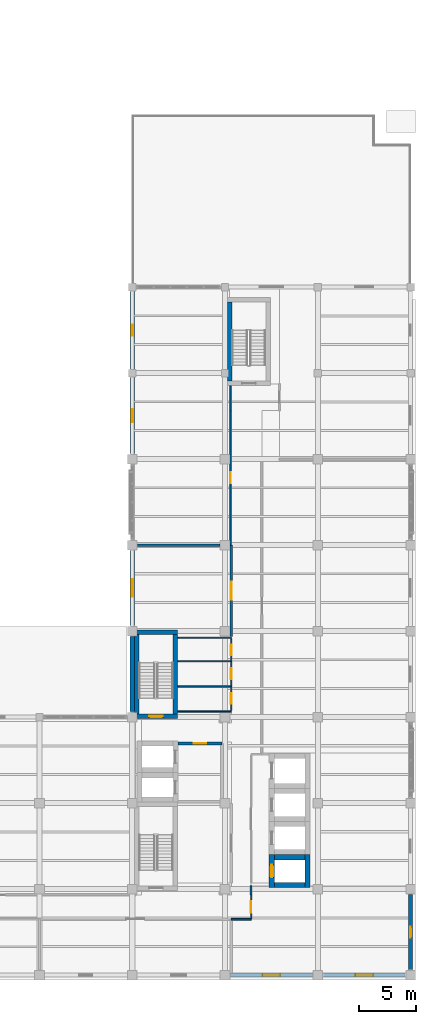
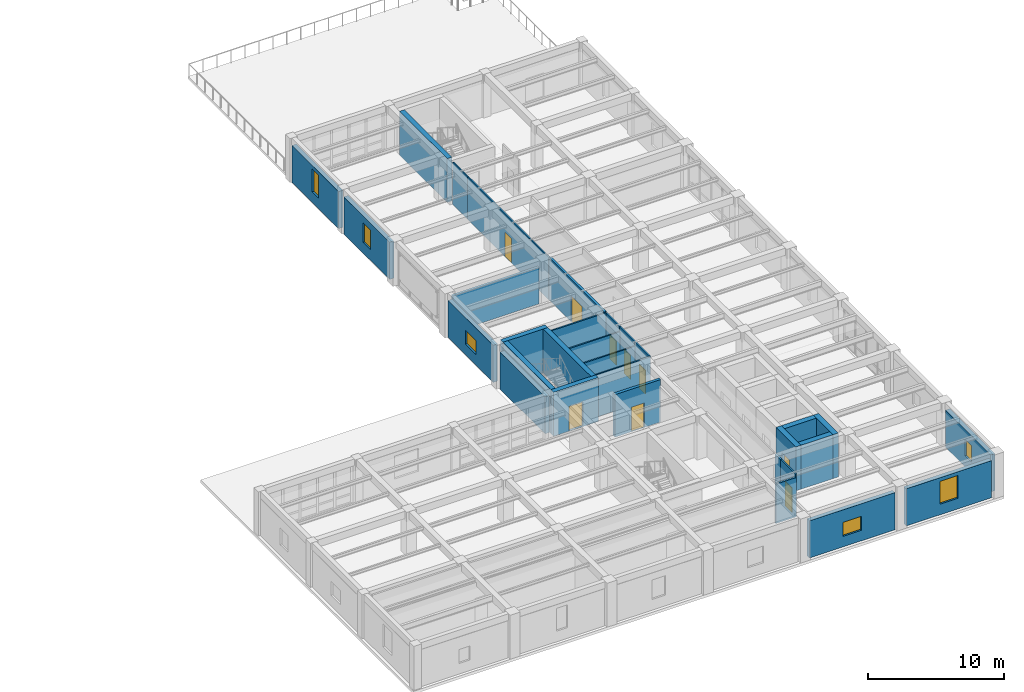
# One storey, part 12 of 22: 31 walls, 9 doors, 6 windows, 15 openings.
"""IFC4 building model written with IfcOpenShell, lengths in metres."""

import ifcopenshell
import ifcopenshell.guid

model = None  # the IFC model being written
_history = None  # IfcOwnerHistory: only IFC2X3 demands one
_inside = {}  # id of a spatial element -> (the spatial element, [elements in it])
_under = {}  # id of a project, library or spatial element -> (it, [spatial elements below it])
_declared = {}  # id of a project -> (the project, [libraries it declares])
_typed = {}  # id of a type object -> (the type object, [elements of that type])
_made_of = {}  # id of a material, layer set ... -> (it, [elements and type objects made of it])


def new_model(schema):
    """Start an empty IFC model of exactly this schema.

    Asked for "IFC4X3", IfcOpenShell would pick the latest addendum, in which some entities
    have other attributes; the version numbers below select the first issue.
    IFC2X3 requires an IfcOwnerHistory on every rooted entity: one is made here for all.
    """
    global model, _history
    if schema == "IFC4X3":
        model = ifcopenshell.file(schema_version=(4, 3, 0, 0))
    else:
        model = ifcopenshell.file(schema=schema)
    _inside.clear()
    _under.clear()
    _declared.clear()
    _typed.clear()
    _made_of.clear()
    _history = None
    if model.schema == "IFC2X3":
        org = make("IfcOrganization", Name="unknown")
        user = make(
            "IfcPersonAndOrganization",
            ThePerson=make("IfcPerson", FamilyName="unknown"),
            TheOrganization=org,
        )
        app = make(
            "IfcApplication",
            ApplicationDeveloper=org,
            Version="unknown",
            ApplicationFullName="unknown",
            ApplicationIdentifier="unknown",
        )
        _history = make(
            "IfcOwnerHistory",
            OwningUser=user,
            OwningApplication=app,
            ChangeAction="ADDED",
            CreationDate=0,
        )
    return model


def make(cls, **values):
    """One entity of the class cls with the attributes given. An attribute that is None is left unset."""
    return model.create_entity(
        cls, **{name: value for name, value in values.items() if value is not None}
    )


def rooted(cls, **values):
    """An entity with a GlobalId (a new one), such as an element, a storey or a relation."""
    return make(cls, GlobalId=ifcopenshell.guid.new(), OwnerHistory=_history, **values)


def si_unit(unit_type, name, prefix=None):
    """IfcSIUnit, for example si_unit("LENGTHUNIT", "METRE", prefix="MILLI")."""
    return make("IfcSIUnit", UnitType=unit_type, Prefix=prefix, Name=name)


def assignment(units):
    """IfcUnitAssignment: the units of a project."""
    return None if units is None else make("IfcUnitAssignment", Units=units)


def point(xyz):
    """IfcCartesianPoint."""
    return None if xyz is None else make("IfcCartesianPoint", Coordinates=xyz)


def direction(xyz):
    """IfcDirection."""
    return None if xyz is None else make("IfcDirection", DirectionRatios=xyz)


def frame(location, z_axis=None, x_axis=None):
    """IfcAxis2Placement3D, a coordinate frame: its origin and axes. An axis left out is left unset."""
    return make(
        "IfcAxis2Placement3D",
        Location=point(location),
        Axis=direction(z_axis),
        RefDirection=direction(x_axis),
    )


def frame_2d(location, x_axis=None):
    """IfcAxis2Placement2D, a coordinate frame in the plane: its origin and x axis."""
    return make(
        "IfcAxis2Placement2D", Location=point(location), RefDirection=direction(x_axis)
    )


def origin():
    """The frame at (0, 0, 0) with its axes left unset."""
    return frame((0.0, 0.0, 0.0))


def place(relative_to, where):
    """IfcLocalPlacement: puts the frame where relative to a parent placement (None: the world)."""
    return make(
        "IfcLocalPlacement", PlacementRelTo=relative_to, RelativePlacement=where
    )


def context(
    kind, dimensions, precision=None, world=None, true_north=None, identifier=None
):
    """IfcGeometricRepresentationContext, for example the 3D "Model" context."""
    return make(
        "IfcGeometricRepresentationContext",
        ContextIdentifier=identifier,
        ContextType=kind,
        CoordinateSpaceDimension=dimensions,
        Precision=precision,
        WorldCoordinateSystem=world,
        TrueNorth=true_north,
    )


def subcontext(parent, identifier, kind, view, scale=None):
    """IfcGeometricRepresentationSubContext, for example "Body" below "Model"."""
    return make(
        "IfcGeometricRepresentationSubContext",
        ContextIdentifier=identifier,
        ContextType=kind,
        ParentContext=parent,
        TargetScale=scale,
        TargetView=view,
    )


def project(units=None, contexts=None):
    """IfcProject with its units and contexts."""
    return rooted(
        "IfcProject",
        Name="project",
        RepresentationContexts=contexts,
        UnitsInContext=assignment(units),
    )


def spatial(cls, under=None, at=None, **own):
    """A site, building, storey or space (cls), placed at a placement, below another one or the project."""
    s = rooted(cls, ObjectPlacement=at, **own)
    if under is not None:
        _under.setdefault(under.id(), (under, []))[1].append(s)
    return s


def profile(cls, at=None, kind="AREA", **sizes):
    """A parametric profile (cls). Its sizes go by their IFC names, for example OverallWidth=200.0."""
    return make(cls, ProfileType=kind, Position=at, **sizes)


def rectangle(**sizes):
    """IfcRectangleProfileDef."""
    return profile("IfcRectangleProfileDef", **sizes)


def extrude(swept, where, along, depth):
    """IfcExtrudedAreaSolid: the profile swept, set in the frame where, extruded along a direction by depth."""
    return make(
        "IfcExtrudedAreaSolid",
        SweptArea=swept,
        Position=where,
        ExtrudedDirection=direction(along),
        Depth=depth,
    )


def shape(context_of_items, identifier, shape_type, items):
    """IfcShapeRepresentation: the items that make up one representation, for example the "Body"."""
    return make(
        "IfcShapeRepresentation",
        ContextOfItems=context_of_items,
        RepresentationIdentifier=identifier,
        RepresentationType=shape_type,
        Items=items,
    )


def material(Name=None, Category=None):
    """IfcMaterial."""
    return make("IfcMaterial", Name=Name, Category=Category)


def layer(
    of_material, thickness, ventilated=None, Name=None, Category=None, Priority=None
):
    """IfcMaterialLayer: one layer of a wall or slab, of a material (None: an air gap)."""
    return make(
        "IfcMaterialLayer",
        Material=of_material,
        LayerThickness=thickness,
        IsVentilated=ventilated,
        Name=Name,
        Category=Category,
        Priority=Priority,
    )


def layer_set(layers, Name=None):
    """IfcMaterialLayerSet."""
    return make("IfcMaterialLayerSet", MaterialLayers=layers, LayerSetName=Name)


def made_of(thing, what):
    """Note that an element or type object is made of a material, layer set ...; save() writes the relation."""
    if what is not None:
        _made_of.setdefault(what.id(), (what, []))[1].append(thing)
    return thing


def type_object(cls, material=None, **own):
    """A type object (cls), such as IfcWallType, which elements share."""
    return made_of(rooted(cls, **own), material)


def element(
    cls,
    number,
    at=None,
    inside=None,
    cuts=None,
    type_object=None,
    material=None,
    context=None,
    identifier="Body",
    shape_type=None,
    held_by="IfcProductDefinitionShape",
    body=None,
    shapes=None,
    **own,
):
    """One element of the class cls, such as IfcWall. Its Tag is "e" and its number.

    at: its placement. inside: the storey or other place that contains it. cuts: it is an
    opening in that element (IfcRelVoidsElement). A single representation is given by context,
    identifier, shape_type and body (its items); several are given by shapes. held_by: the class
    of the entity that holds the representations. save() writes the other relations.
    """
    e = rooted(cls, Tag="e%d" % number, ObjectPlacement=at, **own)
    if body is not None:
        shapes = [shape(context, identifier, shape_type, body)]
    if shapes is not None:
        e.Representation = make(held_by, Representations=shapes)
    if inside is not None:
        _inside.setdefault(inside.id(), (inside, []))[1].append(e)
    if cuts is not None:
        rooted(
            "IfcRelVoidsElement", RelatingBuildingElement=cuts, RelatedOpeningElement=e
        )
    if type_object is not None:
        _typed.setdefault(type_object.id(), (type_object, []))[1].append(e)
    return made_of(e, material)


def fill(opening, filler):
    """IfcRelFillsElement: the door or window that sits in an opening."""
    return rooted(
        "IfcRelFillsElement",
        RelatingOpeningElement=opening,
        RelatedBuildingElement=filler,
    )


def aggregate(whole, parts):
    """IfcRelAggregates: a whole, such as a stair, and the parts it consists of."""
    return rooted("IfcRelAggregates", RelatingObject=whole, RelatedObjects=parts)


def save(model, path):
    """Write the relations noted so far, then the file.

    IfcRelAggregates (storeys below a building ...), IfcRelContainedInSpatialStructure (elements
    in a storey), IfcRelDefinesByType, IfcRelAssociatesMaterial and IfcRelDeclares: one each for
    every whole, place, type object, material and project.
    """
    for whole, parts in _under.values():
        aggregate(whole, parts)
    for where, things in _inside.values():
        rooted(
            "IfcRelContainedInSpatialStructure",
            RelatedElements=things,
            RelatingStructure=where,
        )
    for kind, things in _typed.values():
        rooted("IfcRelDefinesByType", RelatedObjects=things, RelatingType=kind)
    for what, things in _made_of.values():
        rooted("IfcRelAssociatesMaterial", RelatedObjects=things, RelatingMaterial=what)
    for by, libraries in _declared.values():
        rooted("IfcRelDeclares", RelatingContext=by, RelatedDefinitions=libraries)
    model.write(path)


model = new_model("IFC4")

# Units and contexts
model_context = context("Model", 3, precision=1e-05, world=origin(), true_north=direction((0.0, 1.0)))
body_context = subcontext(model_context, "Body", "Model", "MODEL_VIEW")
ifc_project = project(units=[si_unit("LENGTHUNIT", "METRE"), si_unit("AREAUNIT", "SQUARE_METRE"), si_unit("VOLUMEUNIT", "CUBIC_METRE"), si_unit("PLANEANGLEUNIT", "RADIAN"), si_unit("MASSUNIT", "GRAM", prefix="KILO")], contexts=[model_context])

# Site, building, storey
site_placement = place(None, origin())
site = spatial("IfcSite", under=ifc_project, at=site_placement, CompositionType="ELEMENT")
building_placement = place(site_placement, origin())
building = spatial("IfcBuilding", under=site, at=building_placement, Name="Qandaris Square Conservatory and Botanical Centre", CompositionType="ELEMENT")
storey_placement = place(building_placement, frame((0.0, 0.0, 19.800048828125)))
storey = spatial("IfcBuildingStorey", under=building, at=storey_placement, Name="L04", CompositionType="ELEMENT", Elevation=19.800048828125)

# Walls
ifc_material_1 = material(Name="Gypsum Plasterboard", Category="gypsum")
ifc_layer_1 = layer(ifc_material_1, 0.14990234375)
ifc_layer_set_1 = layer_set([ifc_layer_1], Name="Gypsum Plasterboard")
wall_type_1 = type_object("IfcWallType", Name="Acoustic Laboratory Partition 150mm", PredefinedType="PARTITIONING", material=ifc_layer_set_1)
wall_1_placement = place(storey_placement, frame((149.699951171875, 24.5, 0.0), z_axis=(0.0, 0.0, 1.0), x_axis=(0.0, -1.0, 0.0)))
element("IfcWall", 1, at=wall_1_placement, inside=storey, type_object=wall_type_1, Name="Interior Partition IW-L04-0199", PredefinedType="PARTITIONING", context=body_context, shape_type="SweptSolid", body=[
    extrude(rectangle(XDim=0.800048828125, YDim=0.14990234375, at=frame_2d((0.39990234375, 0.0))), origin(), (0.0, 0.0, 1.0), 3.804931640625),
])
wall_2_placement = place(storey_placement, frame((149.699951171875, 21.550048828125, 0.0), z_axis=(0.0, 0.0, 1.0), x_axis=(-1.0, 0.0, 0.0)))
element("IfcWall", 2, at=wall_2_placement, inside=storey, type_object=wall_type_1, Name="Interior Partition IW-L04-0201", PredefinedType="PARTITIONING", context=body_context, shape_type="SweptSolid", body=[
    extrude(rectangle(XDim=1.75, YDim=0.14990234375, at=frame_2d((0.875, 0.0))), origin(), (0.0, 0.0, 1.0), 3.514892578125),
])

# Wall, opening, window
ifc_material_2 = material(Name="Precast concrete C40/50", Category="concrete")
ifc_layer_2 = layer(ifc_material_2, 0.360107421875)
ifc_layer_set_2 = layer_set([ifc_layer_2], Name="Precast concrete C40/50")
wall_type_2 = type_object("IfcWallType", Name="Architectural Precast Cladding Wall 360mm", PredefinedType="SOLIDWALL", material=ifc_layer_set_2)
wall_3_placement = place(storey_placement, frame((147.885009765625, 16.60009765625, 0.0), z_axis=(0.0, 0.0, 1.0), x_axis=(1.0, 0.0, 0.0)))
wall_3 = element("IfcWall", 3, at=wall_3_placement, inside=storey, type_object=wall_type_2, Name="Exterior Wall EW-TWR-L04-1-5", PredefinedType="SOLIDWALL", context=body_context, shape_type="SweptSolid", body=[
    extrude(rectangle(XDim=7.22998046875, YDim=0.360107421875, at=frame_2d((3.614990234375, 0.0))), origin(), (0.0, 0.0, 1.0), 3.324951171875),
])
opening_1_placement = place(wall_3_placement, frame((2.840087890625, 0.0, 0.949951171875)))
opening_1 = element("IfcOpeningElement", 4, at=opening_1_placement, cuts=wall_3, Name="Opening WN-25", PredefinedType="OPENING", context=body_context, shape_type="SweptSolid", body=[
    extrude(rectangle(XDim=1.550048828125, YDim=1.25, at=frame_2d((0.77490234375, 0.625))), frame((0.0, 0.19189453125, 0.0), z_axis=(0.0, -1.0, 0.0), x_axis=(1.0, 0.0, 0.0)), (0.0, 0.0, 1.0), 0.384033203125),
])
ifc_material_3 = material(Name="Tempered Low-E Glass", Category="glass")
window_type_1 = type_object("IfcWindowType", Name="Solar Control Window 1550x1250", PartitioningType="DOUBLE_PANEL_VERTICAL", PredefinedType="WINDOW", material=ifc_material_3)
window_1_placement = place(opening_1_placement, origin())
window_1 = element("IfcWindow", 5, at=window_1_placement, inside=storey, type_object=window_type_1, Name="Window EW-TWR-L04-1-5", OverallHeight=1.25, OverallWidth=1.550048828125, PartitioningType="DOUBLE_PANEL_VERTICAL", PredefinedType="WINDOW", context=body_context, shape_type="SweptSolid", body=[
    extrude(rectangle(XDim=1.550048828125, YDim=1.25, at=frame_2d((0.77490234375, 0.625))), frame((0.0, 0.030029296875, 0.0), z_axis=(0.0, -1.0, 0.0), x_axis=(1.0, 0.0, 0.0)), (0.0, 0.0, 1.0), 0.06005859375),
])
fill(opening_1, window_1)

wall_4_placement = place(storey_placement, frame((156.0849609375, 16.60009765625, 0.0), z_axis=(0.0, 0.0, 1.0), x_axis=(1.0, 0.0, 0.0)))
wall_4 = element("IfcWall", 6, at=wall_4_placement, inside=storey, type_object=wall_type_2, Name="Exterior Wall EW-TWR-L04-1-6", PredefinedType="SOLIDWALL", context=body_context, shape_type="SweptSolid", body=[
    extrude(rectangle(XDim=7.22998046875, YDim=0.360107421875, at=frame_2d((3.614990234375, 0.0))), origin(), (0.0, 0.0, 1.0), 3.324951171875),
])
opening_2_placement = place(wall_4_placement, frame((2.840087890625, 0.0, 0.949951171875)))
opening_2 = element("IfcOpeningElement", 7, at=opening_2_placement, cuts=wall_4, Name="Opening WN-28", PredefinedType="OPENING", context=body_context, shape_type="SweptSolid", body=[
    extrude(rectangle(XDim=1.550048828125, YDim=2.050048828125, at=frame_2d((0.77490234375, 1.02490234375))), frame((0.0, 0.19189453125, 0.0), z_axis=(0.0, -1.0, 0.0), x_axis=(1.0, 0.0, 0.0)), (0.0, 0.0, 1.0), 0.384033203125),
])
window_type_2 = type_object("IfcWindowType", Name="Solar Control Window 1550x2050", PartitioningType="DOUBLE_PANEL_VERTICAL", PredefinedType="WINDOW", material=ifc_material_3)
window_2_placement = place(opening_2_placement, origin())
window_2 = element("IfcWindow", 8, at=window_2_placement, inside=storey, type_object=window_type_2, Name="Window EW-TWR-L04-1-6", OverallHeight=2.050048828125, OverallWidth=1.550048828125, PartitioningType="DOUBLE_PANEL_VERTICAL", PredefinedType="WINDOW", context=body_context, shape_type="SweptSolid", body=[
    extrude(rectangle(XDim=1.550048828125, YDim=2.050048828125, at=frame_2d((0.77490234375, 1.02490234375))), frame((0.0, 0.030029296875, 0.0), z_axis=(0.0, -1.0, 0.0), x_axis=(1.0, 0.0, 0.0)), (0.0, 0.0, 1.0), 0.06005859375),
])
fill(opening_2, window_2)

wall_5_placement = place(storey_placement, frame((163.800048828125, 17.0849609375, 0.0), z_axis=(0.0, 0.0, 1.0), x_axis=(0.0, 1.0, 0.0)))
wall_5 = element("IfcWall", 9, at=wall_5_placement, inside=storey, type_object=wall_type_2, Name="Exterior Wall EW-TWR-L04-2-1", PredefinedType="SOLIDWALL", context=body_context, shape_type="SweptSolid", body=[
    extrude(rectangle(XDim=6.630126953125, YDim=0.360107421875, at=frame_2d((3.31494140625, 0.0))), origin(), (0.0, 0.0, 1.0), 3.324951171875),
])
opening_3_placement = place(wall_5_placement, frame((2.840087890625, 0.0, 0.949951171875)))
opening_3 = element("IfcOpeningElement", 10, at=opening_3_placement, cuts=wall_5, Name="Opening WN-14", PredefinedType="OPENING", context=body_context, shape_type="SweptSolid", body=[
    extrude(rectangle(XDim=0.949951171875, YDim=1.5, at=frame_2d((0.47509765625, 0.75))), frame((0.0, 0.19189453125, 0.0), z_axis=(0.0, -1.0, 0.0), x_axis=(1.0, 0.0, 0.0)), (0.0, 0.0, 1.0), 0.384033203125),
])
window_type_3 = type_object("IfcWindowType", Name="Solar Control Window 950x1500", PartitioningType="SINGLE_PANEL", PredefinedType="WINDOW", material=ifc_material_3)
window_3_placement = place(opening_3_placement, origin())
window_3 = element("IfcWindow", 11, at=window_3_placement, inside=storey, type_object=window_type_3, Name="Window EW-TWR-L04-2-1", OverallHeight=1.5, OverallWidth=0.949951171875, PartitioningType="SINGLE_PANEL", PredefinedType="WINDOW", context=body_context, shape_type="SweptSolid", body=[
    extrude(rectangle(XDim=0.949951171875, YDim=1.5, at=frame_2d((0.47509765625, 0.75))), frame((0.0, 0.030029296875, 0.0), z_axis=(0.0, -1.0, 0.0), x_axis=(1.0, 0.0, 0.0)), (0.0, 0.0, 1.0), 0.06005859375),
])
fill(opening_3, window_3)

wall_6_placement = place(storey_placement, frame((139.199951171875, 77.014892578125, 0.0), z_axis=(0.0, 0.0, 1.0), x_axis=(0.0, -1.0, 0.0)))
wall_6 = element("IfcWall", 12, at=wall_6_placement, inside=storey, type_object=wall_type_2, Name="Exterior Wall EW-TWR-L04-4-1", PredefinedType="SOLIDWALL", context=body_context, shape_type="SweptSolid", body=[
    extrude(rectangle(XDim=6.829833984375, YDim=0.360107421875, at=frame_2d((3.4150390625, 0.0))), origin(), (0.0, 0.0, 1.0), 3.324951171875),
])
opening_4_placement = place(wall_6_placement, frame((2.93994140625, 0.0, 0.949951171875)))
opening_4 = element("IfcOpeningElement", 13, at=opening_4_placement, cuts=wall_6, Name="Opening WN-16", PredefinedType="OPENING", context=body_context, shape_type="SweptSolid", body=[
    extrude(rectangle(XDim=0.949951171875, YDim=2.050048828125, at=frame_2d((0.47509765625, 1.02490234375))), frame((0.0, 0.19189453125, 0.0), z_axis=(0.0, -1.0, 0.0), x_axis=(1.0, 0.0, 0.0)), (0.0, 0.0, 1.0), 0.384033203125),
])
window_type_4 = type_object("IfcWindowType", Name="Solar Control Window 950x2050", PartitioningType="SINGLE_PANEL", PredefinedType="WINDOW", material=ifc_material_3)
window_4_placement = place(opening_4_placement, origin())
window_4 = element("IfcWindow", 14, at=window_4_placement, inside=storey, type_object=window_type_4, Name="Window EW-TWR-L04-4-1", OverallHeight=2.050048828125, OverallWidth=0.949951171875, PartitioningType="SINGLE_PANEL", PredefinedType="WINDOW", context=body_context, shape_type="SweptSolid", body=[
    extrude(rectangle(XDim=0.949951171875, YDim=2.050048828125, at=frame_2d((0.47509765625, 1.02490234375))), frame((0.0, 0.030029296875, 0.0), z_axis=(0.0, -1.0, 0.0), x_axis=(1.0, 0.0, 0.0)), (0.0, 0.0, 1.0), 0.06005859375),
])
fill(opening_4, window_4)

wall_7_placement = place(storey_placement, frame((139.199951171875, 69.4150390625, 0.0), z_axis=(0.0, 0.0, 1.0), x_axis=(0.0, -1.0, 0.0)))
wall_7 = element("IfcWall", 15, at=wall_7_placement, inside=storey, type_object=wall_type_2, Name="Exterior Wall EW-TWR-L04-4-2", PredefinedType="SOLIDWALL", context=body_context, shape_type="SweptSolid", body=[
    extrude(rectangle(XDim=6.72998046875, YDim=0.360107421875, at=frame_2d((3.364990234375, 0.0))), origin(), (0.0, 0.0, 1.0), 3.324951171875),
])
opening_5_placement = place(wall_7_placement, frame((2.7900390625, 0.0, 0.949951171875)))
opening_5 = element("IfcOpeningElement", 16, at=opening_5_placement, cuts=wall_7, Name="Opening WN-19", PredefinedType="OPENING", context=body_context, shape_type="SweptSolid", body=[
    extrude(rectangle(XDim=1.14990234375, YDim=1.75, at=frame_2d((0.574951171875, 0.875))), frame((0.0, 0.19189453125, 0.0), z_axis=(0.0, -1.0, 0.0), x_axis=(1.0, 0.0, 0.0)), (0.0, 0.0, 1.0), 0.384033203125),
])
window_type_5 = type_object("IfcWindowType", Name="Solar Control Window 1150x1750", PartitioningType="SINGLE_PANEL", PredefinedType="WINDOW", material=ifc_material_3)
window_5_placement = place(opening_5_placement, origin())
window_5 = element("IfcWindow", 17, at=window_5_placement, inside=storey, type_object=window_type_5, Name="Window EW-TWR-L04-4-2", OverallHeight=1.75, OverallWidth=1.14990234375, PartitioningType="SINGLE_PANEL", PredefinedType="WINDOW", context=body_context, shape_type="SweptSolid", body=[
    extrude(rectangle(XDim=1.14990234375, YDim=1.75, at=frame_2d((0.574951171875, 0.875))), frame((0.0, 0.030029296875, 0.0), z_axis=(0.0, -1.0, 0.0), x_axis=(1.0, 0.0, 0.0)), (0.0, 0.0, 1.0), 0.06005859375),
])
fill(opening_5, window_5)

wall_8_placement = place(storey_placement, frame((139.199951171875, 54.114990234375, 0.0), z_axis=(0.0, 0.0, 1.0), x_axis=(0.0, -1.0, 0.0)))
wall_8 = element("IfcWall", 18, at=wall_8_placement, inside=storey, type_object=wall_type_2, Name="Exterior Wall EW-TWR-L04-4-4", PredefinedType="SOLIDWALL", context=body_context, shape_type="SweptSolid", body=[
    extrude(rectangle(XDim=6.6298828125, YDim=0.360107421875, at=frame_2d((3.31494140625, 0.0))), origin(), (0.0, 0.0, 1.0), 3.324951171875),
])
opening_6_placement = place(wall_8_placement, frame((2.5400390625, 0.0, 0.949951171875)))
opening_6 = element("IfcOpeningElement", 19, at=opening_6_placement, cuts=wall_8, Name="Opening WN-25", PredefinedType="OPENING", context=body_context, shape_type="SweptSolid", body=[
    extrude(rectangle(XDim=1.550048828125, YDim=1.25, at=frame_2d((0.77490234375, 0.625))), frame((0.0, 0.19189453125, 0.0), z_axis=(0.0, -1.0, 0.0), x_axis=(1.0, 0.0, 0.0)), (0.0, 0.0, 1.0), 0.384033203125),
])
window_6_placement = place(opening_6_placement, origin())
window_6 = element("IfcWindow", 20, at=window_6_placement, inside=storey, type_object=window_type_1, Name="Window EW-TWR-L04-4-4", OverallHeight=1.25, OverallWidth=1.550048828125, PartitioningType="DOUBLE_PANEL_VERTICAL", PredefinedType="WINDOW", context=body_context, shape_type="SweptSolid", body=[
    extrude(rectangle(XDim=1.550048828125, YDim=1.25, at=frame_2d((0.77490234375, 0.625))), frame((0.0, 0.030029296875, 0.0), z_axis=(0.0, -1.0, 0.0), x_axis=(1.0, 0.0, 0.0)), (0.0, 0.0, 1.0), 0.06005859375),
])
fill(opening_6, window_6)

# Wall
wall_9_placement = place(storey_placement, frame((139.199951171875, 46.514892578125, 0.0), z_axis=(0.0, 0.0, 1.0), x_axis=(0.0, -1.0, 0.0)))
element("IfcWall", 21, at=wall_9_placement, inside=storey, type_object=wall_type_2, Name="Exterior Wall EW-TWR-L04-4-5", PredefinedType="SOLIDWALL", context=body_context, shape_type="SweptSolid", body=[
    extrude(rectangle(XDim=6.6298828125, YDim=0.360107421875, at=frame_2d((3.31494140625, 0.0))), origin(), (0.0, 0.0, 1.0), 3.324951171875),
])

# Wall, opening, door
ifc_material_4 = material(Name="Concrete C40/50", Category="concrete")
ifc_layer_3 = layer(ifc_material_4, 0.25)
ifc_layer_set_3 = layer_set([ifc_layer_3], Name="Concrete C40/50")
wall_type_3 = type_object("IfcWallType", Name="Firefighting Lobby Compartment Wall 250mm", PredefinedType="SOLIDWALL", material=ifc_layer_set_3)
wall_10_placement = place(storey_placement, frame((143.25, 37.074951171875, 0.0), z_axis=(0.0, 0.0, 1.0), x_axis=(1.0, 0.0, 0.0)))
wall_10 = element("IfcWall", 22, at=wall_10_placement, inside=storey, type_object=wall_type_3, Name="Firefighting Lobby Wall North (L04)", PredefinedType="SOLIDWALL", context=body_context, shape_type="SweptSolid", body=[
    extrude(rectangle(XDim=3.875, YDim=0.25, at=frame_2d((1.9375, 0.0))), origin(), (0.0, 0.0, 1.0), 3.804931640625),
])
opening_7_placement = place(wall_10_placement, frame((1.387451171875, 0.0, 0.0)))
opening_7 = element("IfcOpeningElement", 23, at=opening_7_placement, cuts=wall_10, Name="Opening D-FFL", PredefinedType="OPENING", context=body_context, shape_type="SweptSolid", body=[
    extrude(rectangle(XDim=1.10009765625, YDim=2.199951171875, at=frame_2d((0.550048828125, 1.10009765625))), frame((0.0, 0.136962890625, 0.0), z_axis=(0.0, -1.0, 0.0), x_axis=(1.0, 0.0, 0.0)), (0.0, 0.0, 1.0), 0.27392578125),
])
ifc_material_5 = material(Name="Steel S355", Category="steel")
door_type_1 = type_object("IfcDoorType", Name="Firefighting Lobby Smoke-Seal Door 1100x2200", OperationType="NOTDEFINED", PredefinedType="DOOR", material=ifc_material_5)
door_1_placement = place(opening_7_placement, origin())
door_1 = element("IfcDoor", 24, at=door_1_placement, inside=storey, type_object=door_type_1, Name="DR-0174 Firefighting Lobby Door (L04)", OperationType="SINGLE_SWING_LEFT", OverallHeight=2.199951171875, OverallWidth=1.10009765625, PredefinedType="DOOR", context=body_context, shape_type="SweptSolid", body=[
    extrude(rectangle(XDim=1.10009765625, YDim=2.199951171875, at=frame_2d((0.550048828125, 1.10009765625))), frame((0.0, 0.02490234375, 0.0), z_axis=(0.0, -1.0, 0.0), x_axis=(1.0, 0.0, 0.0)), (0.0, 0.0, 1.0), 0.050048828125),
])
fill(opening_7, door_1)

ifc_layer_4 = layer(ifc_material_4, 0.199951171875)
ifc_layer_set_4 = layer_set([ifc_layer_4], Name="Concrete C40/50")
wall_type_4 = type_object("IfcWallType", Name="Herbarium & Plant Compartment Wall 200mm", PredefinedType="PARTITIONING", material=ifc_layer_set_4)
wall_11_placement = place(storey_placement, frame((147.949951171875, 46.510009765625, 0.0), z_axis=(0.0, 0.0, 1.0), x_axis=(0.0, 1.0, 0.0)))
wall_11 = element("IfcWall", 25, at=wall_11_placement, inside=storey, type_object=wall_type_4, Name="Interior Partition IW-L04-0203", PredefinedType="PARTITIONING", context=body_context, shape_type="SweptSolid", body=[
    extrude(rectangle(XDim=8.090087890625, YDim=0.199951171875, at=frame_2d((4.044921875, 0.0))), origin(), (0.0, 0.0, 1.0), 3.804931640625),
])
opening_8_placement = place(wall_11_placement, frame((3.2451171875, 0.0, 0.0)))
opening_8 = element("IfcOpeningElement", 26, at=opening_8_placement, cuts=wall_11, Name="Opening D-HRB1", PredefinedType="OPENING", context=body_context, shape_type="SweptSolid", body=[
    extrude(rectangle(XDim=1.60009765625, YDim=2.300048828125, at=frame_2d((0.800048828125, 1.14990234375))), frame((0.0, 0.11181640625, 0.0), z_axis=(0.0, -1.0, 0.0), x_axis=(1.0, 0.0, 0.0)), (0.0, 0.0, 1.0), 0.223876953125),
])
door_type_2 = type_object("IfcDoorType", Name="Herbarium Sealable Specimen Double Door 1600x2300", OperationType="DOUBLE_DOOR_SINGLE_SWING", PredefinedType="DOOR", material=ifc_material_5)
door_2_placement = place(opening_8_placement, origin())
door_2 = element("IfcDoor", 27, at=door_2_placement, inside=storey, type_object=door_type_2, Name="DR-0177 Ethnobotany Herbarium Specimen Prep Room Door", OperationType="DOUBLE_DOOR_SINGLE_SWING", OverallHeight=2.300048828125, OverallWidth=1.60009765625, PredefinedType="DOOR", context=body_context, shape_type="SweptSolid", body=[
    extrude(rectangle(XDim=1.60009765625, YDim=2.300048828125, at=frame_2d((0.800048828125, 1.14990234375))), frame((0.0, 0.02490234375, 0.0), z_axis=(0.0, -1.0, 0.0), x_axis=(1.0, 0.0, 0.0)), (0.0, 0.0, 1.0), 0.050048828125),
])
fill(opening_8, door_2)

# Walls
wall_12_placement = place(storey_placement, frame((139.64501953125, 54.60009765625, 0.0), z_axis=(0.0, 0.0, 1.0), x_axis=(1.0, 0.0, 0.0)))
element("IfcWall", 28, at=wall_12_placement, inside=storey, type_object=wall_type_4, Name="Interior Partition IW-L04-0212", PredefinedType="PARTITIONING", context=body_context, shape_type="SweptSolid", body=[
    extrude(rectangle(XDim=7.31005859375, YDim=0.199951171875, at=frame_2d((3.655029296875, 0.0))), origin(), (0.0, 0.0, 1.0), 3.27490234375),
])
ifc_material_6 = material(Name="Concrete C50/60", Category="concrete")
ifc_layer_5 = layer(ifc_material_6, 0.449951171875)
ifc_layer_set_5 = layer_set([ifc_layer_5], Name="Concrete C50/60")
wall_type_5 = type_object("IfcWallType", Name="RC Coupled Core Shear Wall 450mm", PredefinedType="SHEAR", material=ifc_layer_set_5)
for number, where, z_axis, x_axis, name in (
    (29, (151.75, 24.574951171875, 0.0), (0.0, 0.0, 1.0), (1.0, 0.0, 0.0), "Lift PL1 Shaft Wall South (L04)"),
    (30, (151.75, 27.02490234375, 0.0), (0.0, 0.0, 1.0), (1.0, 0.0, 0.0), "Lift PL1 Shaft Wall North (L04)"),
):
    element("IfcWall", number, at=place(storey_placement, frame(where, z_axis=z_axis, x_axis=x_axis)), inside=storey, type_object=wall_type_5, Name=name, PredefinedType="SHEAR", context=body_context, shape_type="SweptSolid", body=[
        extrude(rectangle(XDim=2.699951171875, YDim=0.449951171875, at=frame_2d((1.35009765625, 0.0))), origin(), (0.0, 0.0, 1.0), 3.93994140625),
    ])

# Wall, opening, door
wall_13_placement = place(storey_placement, frame((151.52490234375, 24.35009765625, 0.0), z_axis=(0.0, 0.0, 1.0), x_axis=(0.0, 1.0, 0.0)))
wall_13 = element("IfcWall", 31, at=wall_13_placement, inside=storey, type_object=wall_type_5, Name="Lift PL1 Shaft Wall West (L04)", PredefinedType="SHEAR", context=body_context, shape_type="SweptSolid", body=[
    extrude(rectangle(XDim=2.89990234375, YDim=0.449951171875, at=frame_2d((1.449951171875, 0.0))), origin(), (0.0, 0.0, 1.0), 3.93994140625),
])
opening_9_placement = place(wall_13_placement, frame((0.89990234375, 0.0, 0.0)))
opening_9 = element("IfcOpeningElement", 32, at=opening_9_placement, cuts=wall_13, Name="Opening LD-PAX", PredefinedType="OPENING", context=body_context, shape_type="SweptSolid", body=[
    extrude(rectangle(XDim=1.10009765625, YDim=2.199951171875, at=frame_2d((0.550048828125, 1.10009765625))), frame((0.0, 0.23681640625, 0.0), z_axis=(0.0, -1.0, 0.0), x_axis=(1.0, 0.0, 0.0)), (0.0, 0.0, 1.0), 0.473876953125),
])
ifc_material_7 = material(Name="Anodised Aluminium", Category="aluminium")
door_type_3 = type_object("IfcDoorType", Name="Passenger Lift Sliding Landing Door 1100x2200", OperationType="DOUBLE_DOOR_SLIDING", PredefinedType="DOOR", material=ifc_material_7)
door_3_placement = place(opening_9_placement, origin())
door_3 = element("IfcDoor", 33, at=door_3_placement, inside=storey, type_object=door_type_3, Name="DR-0195 Lift PL1 Landing Door (L04)", OperationType="DOUBLE_DOOR_SLIDING", OverallHeight=2.199951171875, OverallWidth=1.10009765625, PredefinedType="DOOR", context=body_context, shape_type="SweptSolid", body=[
    extrude(rectangle(XDim=1.10009765625, YDim=2.199951171875, at=frame_2d((0.550048828125, 1.10009765625))), frame((0.0, 0.02490234375, 0.0), z_axis=(0.0, -1.0, 0.0), x_axis=(1.0, 0.0, 0.0)), (0.0, 0.0, 1.0), 0.050048828125),
])
fill(opening_9, door_3)

# Wall
wall_14_placement = place(storey_placement, frame((154.675048828125, 24.35009765625, 0.0), z_axis=(0.0, 0.0, 1.0), x_axis=(0.0, 1.0, 0.0)))
element("IfcWall", 34, at=wall_14_placement, inside=storey, type_object=wall_type_5, Name="Lift PL1 Shaft Wall East (L04)", PredefinedType="SHEAR", context=body_context, shape_type="SweptSolid", body=[
    extrude(rectangle(XDim=2.89990234375, YDim=0.449951171875, at=frame_2d((1.449951171875, 0.0))), origin(), (0.0, 0.0, 1.0), 3.93994140625),
])

# Wall, opening, door
ifc_layer_6 = layer(ifc_material_6, 0.39990234375)
ifc_layer_set_6 = layer_set([ifc_layer_6], Name="Concrete C50/60")
wall_type_6 = type_object("IfcWallType", Name="RC Stair Core Shear Wall 400mm", PredefinedType="SHEAR", material=ifc_layer_set_6)
wall_15_placement = place(storey_placement, frame((139.39990234375, 39.5, 0.0), z_axis=(0.0, 0.0, 1.0), x_axis=(1.0, 0.0, 0.0)))
wall_15 = element("IfcWall", 35, at=wall_15_placement, inside=storey, type_object=wall_type_6, Name="ST-2 Core Shear Wall South (L04)", PredefinedType="SHEAR", context=body_context, shape_type="SweptSolid", body=[
    extrude(rectangle(XDim=3.800048828125, YDim=0.39990234375, at=frame_2d((1.89990234375, 0.0))), origin(), (0.0, 0.0, 1.0), 3.93994140625),
])
opening_10_placement = place(wall_15_placement, frame((1.300048828125, 0.0, 0.0)))
opening_10 = element("IfcOpeningElement", 36, at=opening_10_placement, cuts=wall_15, Name="Opening D-ST1", PredefinedType="OPENING", context=body_context, shape_type="SweptSolid", body=[
    extrude(rectangle(XDim=1.199951171875, YDim=2.199951171875, at=frame_2d((0.60009765625, 1.10009765625))), frame((0.0, 0.2119140625, 0.0), z_axis=(0.0, -1.0, 0.0), x_axis=(1.0, 0.0, 0.0)), (0.0, 0.0, 1.0), 0.423828125),
])
door_type_4 = type_object("IfcDoorType", Name="Exit Stair Core Fire Door 1200x2200", OperationType="NOTDEFINED", PredefinedType="DOOR", material=ifc_material_5)
door_4_placement = place(opening_10_placement, origin())
door_4 = element("IfcDoor", 37, at=door_4_placement, inside=storey, type_object=door_type_4, Name="DR-0186 ST-2 Stair Core Door (L04)", OperationType="SINGLE_SWING_RIGHT", OverallHeight=2.199951171875, OverallWidth=1.199951171875, PredefinedType="DOOR", context=body_context, shape_type="SweptSolid", body=[
    extrude(rectangle(XDim=1.199951171875, YDim=2.199951171875, at=frame_2d((0.60009765625, 1.10009765625))), frame((0.0, 0.02490234375, 0.0), z_axis=(0.0, -1.0, 0.0), x_axis=(1.0, 0.0, 0.0)), (0.0, 0.0, 1.0), 0.050048828125),
])
fill(opening_10, door_4)

# Walls
wall_16_placement = place(storey_placement, frame((139.39990234375, 46.89990234375, 0.0), z_axis=(0.0, 0.0, 1.0), x_axis=(1.0, 0.0, 0.0)))
element("IfcWall", 38, at=wall_16_placement, inside=storey, type_object=wall_type_6, Name="ST-2 Core Shear Wall North (L04)", PredefinedType="SHEAR", context=body_context, shape_type="SweptSolid", body=[
    extrude(rectangle(XDim=3.800048828125, YDim=0.39990234375, at=frame_2d((1.89990234375, 0.0))), origin(), (0.0, 0.0, 1.0), 3.93994140625),
])
for number, where, z_axis, x_axis, name in (
    (39, (139.60009765625, 39.699951171875, 0.0), (0.0, 0.0, 1.0), (0.0, 1.0, 0.0), "ST-2 Core Shear Wall West (L04)"),
    (40, (143.0, 39.699951171875, 0.0), (0.0, 0.0, 1.0), (0.0, 1.0, 0.0), "ST-2 Core Shear Wall East (L04)"),
    (41, (147.800048828125, 69.10009765625, 0.0), (0.0, 0.0, 1.0), (0.0, 1.0, 0.0), "ST-3 Core Shear Wall West (L04)"),
):
    element("IfcWall", number, at=place(storey_placement, frame(where, z_axis=z_axis, x_axis=x_axis)), inside=storey, type_object=wall_type_6, Name=name, PredefinedType="SHEAR", context=body_context, shape_type="SweptSolid", body=[
        extrude(rectangle(XDim=7.0, YDim=0.39990234375, at=frame_2d((3.5, 0.0))), origin(), (0.0, 0.0, 1.0), 3.93994140625),
    ])
ifc_layer_7 = layer(ifc_material_1, 0.1201171875)
ifc_layer_set_7 = layer_set([ifc_layer_7], Name="Gypsum Plasterboard")
wall_type_7 = type_object("IfcWallType", Name="Standard Research Partition 120mm", PredefinedType="PARTITIONING", material=ifc_layer_set_7)
for number, where, z_axis, x_axis, name in (
    (42, (143.22998046875, 39.89990234375, 0.0), (0.0, 0.0, 1.0), (1.0, 0.0, 0.0), "Sanitary Toilet Partition Wall WCW-L04-SOUTH1"),
    (43, (143.22998046875, 46.419921875, 0.0), (0.0, 0.0, 1.0), (1.0, 0.0, 0.0), "Sanitary Toilet Partition Wall WCW-L04-NORTH1"),
):
    element("IfcWall", number, at=place(storey_placement, frame(where, z_axis=z_axis, x_axis=x_axis)), inside=storey, type_object=wall_type_7, Name=name, PredefinedType="PARTITIONING", context=body_context, shape_type="SweptSolid", body=[
        extrude(rectangle(XDim=4.719970703125, YDim=0.1201171875, at=frame_2d((2.35986328125, 0.0))), origin(), (0.0, 0.0, 1.0), 3.804931640625),
    ])
wall_17_placement = place(storey_placement, frame((143.22998046875, 42.1201171875, 0.0), z_axis=(0.0, 0.0, 1.0), x_axis=(1.0, 0.0, 0.0)))
element("IfcWall", 44, at=wall_17_placement, inside=storey, type_object=wall_type_7, Name="Interior Partition IW-L04-0192", PredefinedType="PARTITIONING", context=body_context, shape_type="SweptSolid", body=[
    extrude(rectangle(XDim=4.719970703125, YDim=0.1201171875, at=frame_2d((2.35986328125, 0.0))), origin(), (0.0, 0.0, 1.0), 3.4150390625),
])

# Wall, opening, door
wall_18_placement = place(storey_placement, frame((147.949951171875, 42.1201171875, 0.0), z_axis=(0.0, 0.0, 1.0), x_axis=(0.0, -1.0, 0.0)))
wall_18 = element("IfcWall", 45, at=wall_18_placement, inside=storey, type_object=wall_type_7, Name="Interior Partition IW-L04-0193", PredefinedType="PARTITIONING", context=body_context, shape_type="SweptSolid", body=[
    extrude(rectangle(XDim=2.130126953125, YDim=0.1201171875, at=frame_2d((1.06494140625, 0.0))), origin(), (0.0, 0.0, 1.0), 3.804931640625),
])
opening_11_placement = place(wall_18_placement, frame((0.590087890625, 0.0, 0.0)))
opening_11 = element("IfcOpeningElement", 46, at=opening_11_placement, cuts=wall_18, Name="Opening D-WC1", PredefinedType="OPENING", context=body_context, shape_type="SweptSolid", body=[
    extrude(rectangle(XDim=0.949951171875, YDim=2.14990234375, at=frame_2d((0.47509765625, 1.074951171875))), frame((0.0, 0.072021484375, 0.0), z_axis=(0.0, -1.0, 0.0), x_axis=(1.0, 0.0, 0.0)), (0.0, 0.0, 1.0), 0.14404296875),
])
ifc_material_8 = material(Name="Engineered Oak Timber", Category="wood")
door_type_5 = type_object("IfcDoorType", Name="Accessible Sanitary Room Door 950x2150", OperationType="NOTDEFINED", PredefinedType="DOOR", material=ifc_material_8)
door_5_placement = place(opening_11_placement, origin())
door_5 = element("IfcDoor", 47, at=door_5_placement, inside=storey, type_object=door_type_5, Name="DR-0188 Accessible Toilet L04 Door", OperationType="SINGLE_SWING_LEFT", OverallHeight=2.14990234375, OverallWidth=0.949951171875, PredefinedType="DOOR", context=body_context, shape_type="SweptSolid", body=[
    extrude(rectangle(XDim=0.949951171875, YDim=2.14990234375, at=frame_2d((0.47509765625, 1.074951171875))), frame((0.0, 0.02490234375, 0.0), z_axis=(0.0, -1.0, 0.0), x_axis=(1.0, 0.0, 0.0)), (0.0, 0.0, 1.0), 0.050048828125),
])
fill(opening_11, door_5)

# Wall
wall_19_placement = place(storey_placement, frame((143.22998046875, 44.340087890625, 0.0), z_axis=(0.0, 0.0, 1.0), x_axis=(1.0, 0.0, 0.0)))
element("IfcWall", 48, at=wall_19_placement, inside=storey, type_object=wall_type_7, Name="Interior Partition IW-L04-0194", PredefinedType="PARTITIONING", context=body_context, shape_type="SweptSolid", body=[
    extrude(rectangle(XDim=4.719970703125, YDim=0.1201171875, at=frame_2d((2.35986328125, 0.0))), origin(), (0.0, 0.0, 1.0), 3.364990234375),
])

# Wall, opening, door
wall_20_placement = place(storey_placement, frame((147.949951171875, 44.340087890625, 0.0), z_axis=(0.0, 0.0, 1.0), x_axis=(0.0, -1.0, 0.0)))
wall_20 = element("IfcWall", 49, at=wall_20_placement, inside=storey, type_object=wall_type_7, Name="Interior Partition IW-L04-0195", PredefinedType="PARTITIONING", context=body_context, shape_type="SweptSolid", body=[
    extrude(rectangle(XDim=2.219970703125, YDim=0.1201171875, at=frame_2d((1.10986328125, 0.0))), origin(), (0.0, 0.0, 1.0), 3.804931640625),
])
opening_12_placement = place(wall_20_placement, frame((0.635009765625, 0.0, 0.0)))
opening_12 = element("IfcOpeningElement", 50, at=opening_12_placement, cuts=wall_20, Name="Opening D-WC1", PredefinedType="OPENING", context=body_context, shape_type="SweptSolid", body=[
    extrude(rectangle(XDim=0.949951171875, YDim=2.14990234375, at=frame_2d((0.47509765625, 1.074951171875))), frame((0.0, 0.072021484375, 0.0), z_axis=(0.0, -1.0, 0.0), x_axis=(1.0, 0.0, 0.0)), (0.0, 0.0, 1.0), 0.14404296875),
])
door_6_placement = place(opening_12_placement, origin())
door_6 = element("IfcDoor", 51, at=door_6_placement, inside=storey, type_object=door_type_5, Name="DR-0189 Staff Male Toilet L04 Door", OperationType="SINGLE_SWING_RIGHT", OverallHeight=2.14990234375, OverallWidth=0.949951171875, PredefinedType="DOOR", context=body_context, shape_type="SweptSolid", body=[
    extrude(rectangle(XDim=0.949951171875, YDim=2.14990234375, at=frame_2d((0.47509765625, 1.074951171875))), frame((0.0, 0.02490234375, 0.0), z_axis=(0.0, -1.0, 0.0), x_axis=(1.0, 0.0, 0.0)), (0.0, 0.0, 1.0), 0.050048828125),
])
fill(opening_12, door_6)

wall_21_placement = place(storey_placement, frame((147.949951171875, 46.330078125, 0.0), z_axis=(0.0, 0.0, 1.0), x_axis=(0.0, -1.0, 0.0)))
wall_21 = element("IfcWall", 52, at=wall_21_placement, inside=storey, type_object=wall_type_7, Name="Interior Partition IW-L04-0196", PredefinedType="PARTITIONING", context=body_context, shape_type="SweptSolid", body=[
    extrude(rectangle(XDim=1.989990234375, YDim=0.1201171875, at=frame_2d((0.9951171875, 0.0))), origin(), (0.0, 0.0, 1.0), 3.804931640625),
])
opening_13_placement = place(wall_21_placement, frame((0.52001953125, 0.0, 0.0)))
opening_13 = element("IfcOpeningElement", 53, at=opening_13_placement, cuts=wall_21, Name="Opening D-WC1", PredefinedType="OPENING", context=body_context, shape_type="SweptSolid", body=[
    extrude(rectangle(XDim=0.949951171875, YDim=2.14990234375, at=frame_2d((0.47509765625, 1.074951171875))), frame((0.0, 0.072021484375, 0.0), z_axis=(0.0, -1.0, 0.0), x_axis=(1.0, 0.0, 0.0)), (0.0, 0.0, 1.0), 0.14404296875),
])
door_7_placement = place(opening_13_placement, frame((0.949951171875, 0.0, 0.0), z_axis=(0.0, 0.0, 1.0), x_axis=(-1.0, 0.0, 0.0)))
door_7 = element("IfcDoor", 54, at=door_7_placement, inside=storey, type_object=door_type_5, Name="DR-0190 Staff Female Toilet L04 Door", OperationType="SINGLE_SWING_LEFT", OverallHeight=2.14990234375, OverallWidth=0.949951171875, PredefinedType="DOOR", context=body_context, shape_type="SweptSolid", body=[
    extrude(rectangle(XDim=0.949951171875, YDim=2.14990234375, at=frame_2d((0.47509765625, 1.074951171875))), frame((0.0, 0.02490234375, 0.0), z_axis=(0.0, -1.0, 0.0), x_axis=(1.0, 0.0, 0.0)), (0.0, 0.0, 1.0), 0.050048828125),
])
fill(opening_13, door_7)

wall_22_placement = place(storey_placement, frame((149.699951171875, 23.699951171875, 0.0), z_axis=(0.0, 0.0, 1.0), x_axis=(0.0, -1.0, 0.0)))
wall_22 = element("IfcWall", 55, at=wall_22_placement, inside=storey, type_object=wall_type_7, Name="Interior Partition IW-L04-0200", PredefinedType="PARTITIONING", context=body_context, shape_type="SweptSolid", body=[
    extrude(rectangle(XDim=2.14990234375, YDim=0.1201171875, at=frame_2d((1.074951171875, 0.0))), origin(), (0.0, 0.0, 1.0), 3.804931640625),
])
opening_14_placement = place(wall_22_placement, frame((0.550048828125, 0.0, 0.0)))
opening_14 = element("IfcOpeningElement", 56, at=opening_14_placement, cuts=wall_22, Name="Opening D-LAB2", PredefinedType="OPENING", context=body_context, shape_type="SweptSolid", body=[
    extrude(rectangle(XDim=1.050048828125, YDim=2.199951171875, at=frame_2d((0.52490234375, 1.10009765625))), frame((0.0, 0.072021484375, 0.0), z_axis=(0.0, -1.0, 0.0), x_axis=(1.0, 0.0, 0.0)), (0.0, 0.0, 1.0), 0.14404296875),
])
door_type_6 = type_object("IfcDoorType", Name="Analytical Laboratory Single Door 1050x2200", OperationType="NOTDEFINED", PredefinedType="DOOR", material=ifc_material_8)
door_8_placement = place(opening_14_placement, origin())
door_8 = element("IfcDoor", 57, at=door_8_placement, inside=storey, type_object=door_type_6, Name="DR-0181 Floor L04 Instrument and Balance Room Door", OperationType="SINGLE_SWING_LEFT", OverallHeight=2.199951171875, OverallWidth=1.050048828125, PredefinedType="DOOR", context=body_context, shape_type="SweptSolid", body=[
    extrude(rectangle(XDim=1.050048828125, YDim=2.199951171875, at=frame_2d((0.52490234375, 1.10009765625))), frame((0.0, 0.02490234375, 0.0), z_axis=(0.0, -1.0, 0.0), x_axis=(1.0, 0.0, 0.0)), (0.0, 0.0, 1.0), 0.050048828125),
])
fill(opening_14, door_8)

wall_23_placement = place(storey_placement, frame((147.875, 54.60009765625, 0.0), z_axis=(0.0, 0.0, 1.0), x_axis=(0.0, 1.0, 0.0)))
wall_23 = element("IfcWall", 58, at=wall_23_placement, inside=storey, type_object=wall_type_7, Name="Interior Partition IW-L04-0204", PredefinedType="PARTITIONING", context=body_context, shape_type="SweptSolid", body=[
    extrude(rectangle(XDim=11.89990234375, YDim=0.1201171875, at=frame_2d((5.949951171875, 0.0))), origin(), (0.0, 0.0, 1.0), 3.804931640625),
])
opening_15_placement = place(wall_23_placement, frame((5.47509765625, 0.0, 0.0)))
opening_15 = element("IfcOpeningElement", 59, at=opening_15_placement, cuts=wall_23, Name="Opening D-OFF1", PredefinedType="OPENING", context=body_context, shape_type="SweptSolid", body=[
    extrude(rectangle(XDim=0.949951171875, YDim=2.199951171875, at=frame_2d((0.47509765625, 1.10009765625))), frame((0.0, 0.072021484375, 0.0), z_axis=(0.0, -1.0, 0.0), x_axis=(1.0, 0.0, 0.0)), (0.0, 0.0, 1.0), 0.14404296875),
])
door_type_7 = type_object("IfcDoorType", Name="Research Office Acoustic Door 950x2200", OperationType="NOTDEFINED", PredefinedType="DOOR", material=ifc_material_8)
door_9_placement = place(opening_15_placement, frame((0.949951171875, 0.0, 0.0), z_axis=(0.0, 0.0, 1.0), x_axis=(-1.0, 0.0, 0.0)))
door_9 = element("IfcDoor", 60, at=door_9_placement, inside=storey, type_object=door_type_7, Name="DR-0182 Spore Viability Collaborative Seminar Room Door", OperationType="SINGLE_SWING_RIGHT", OverallHeight=2.199951171875, OverallWidth=0.949951171875, PredefinedType="DOOR", context=body_context, shape_type="SweptSolid", body=[
    extrude(rectangle(XDim=0.949951171875, YDim=2.199951171875, at=frame_2d((0.47509765625, 1.10009765625))), frame((0.0, 0.02490234375, 0.0), z_axis=(0.0, -1.0, 0.0), x_axis=(1.0, 0.0, 0.0)), (0.0, 0.0, 1.0), 0.050048828125),
])
fill(opening_15, door_9)

# Wall
wall_24_placement = place(storey_placement, frame((147.875, 66.5, 0.0), z_axis=(0.0, 0.0, 1.0), x_axis=(0.0, 1.0, 0.0)))
element("IfcWall", 61, at=wall_24_placement, inside=storey, type_object=wall_type_7, Name="Interior Partition IW-L04-0205", PredefinedType="PARTITIONING", context=body_context, shape_type="SweptSolid", body=[
    extrude(rectangle(XDim=2.169921875, YDim=0.1201171875, at=frame_2d((1.0849609375, 0.0))), origin(), (0.0, 0.0, 1.0), 3.804931640625),
])

save(model, "model.ifc")
